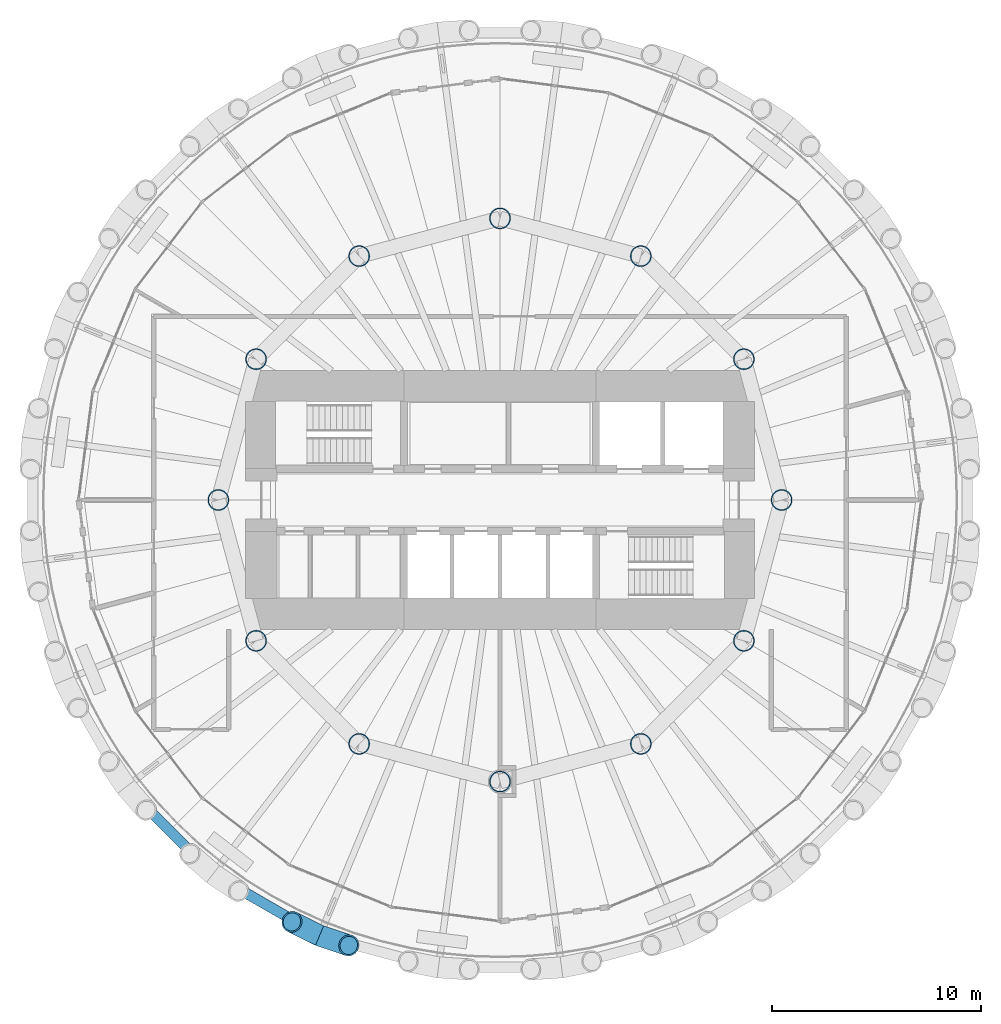
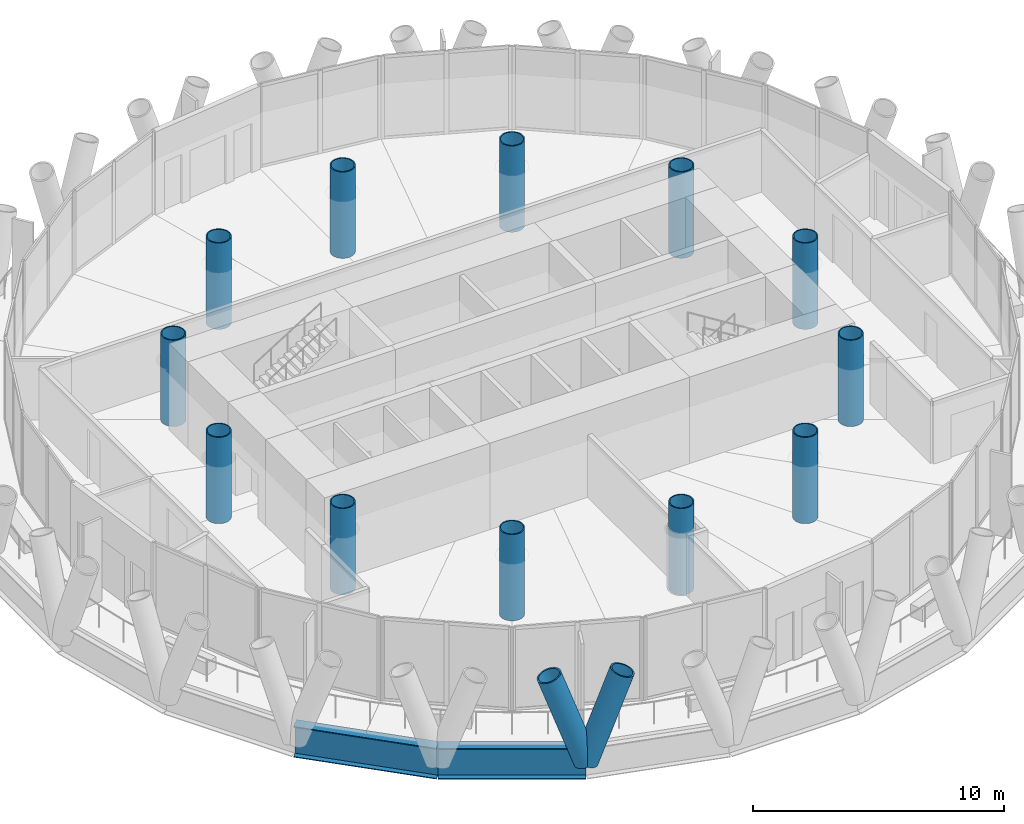
# One storey, part 1 of 13: 12 columns, 2 beams, 2 members.
"""IFC4 building model written with IfcOpenShell, lengths in metres."""

from ifc_helpers import new_model, si_unit, direction, frame, origin, origin_2d, place, context, subcontext, project, spatial, hollow_circle, i_section, extrude, material, material_profile, profile_set, type_object, element, save


model = new_model("IFC4")

# Units and contexts
model_context = context("Model", 3, precision=1e-05, world=origin(), true_north=direction((0.0, 1.0)))
body_context = subcontext(model_context, "Body", "Model", "MODEL_VIEW")
ifc_project = project(units=[si_unit("LENGTHUNIT", "METRE"), si_unit("AREAUNIT", "SQUARE_METRE"), si_unit("VOLUMEUNIT", "CUBIC_METRE"), si_unit("PLANEANGLEUNIT", "RADIAN"), si_unit("MASSUNIT", "GRAM", prefix="KILO")], contexts=[model_context])

# Site, building, storey
site_placement = place(None, origin())
site = spatial("IfcSite", under=ifc_project, at=site_placement, CompositionType="ELEMENT")
building_placement = place(site_placement, origin())
building = spatial("IfcBuilding", under=site, at=building_placement, Name="Qaws Media Tower", CompositionType="ELEMENT")
storey_placement = place(building_placement, frame((0.0, 0.0, 219.199951171875)))
storey = spatial("IfcBuildingStorey", under=building, at=storey_placement, Name="L50", CompositionType="ELEMENT", Elevation=219.199951171875)

# Columns
ifc_material_1 = material(Name="Steel S460", Category="steel")
ifc_material_profile_1 = material_profile(ifc_material_1, hollow_circle(Radius=0.508056640625, WallThickness=0.050048828125, at=origin_2d()), Name="CHS 1016x50")
ifc_profile_set_1 = profile_set([ifc_material_profile_1], Name="Steel S460")
column_type = type_object("IfcColumnType", Name="Inner column CHS 1016x50", PredefinedType="COLUMN", material=ifc_profile_set_1)
for number, where, z_axis, x_axis, name in (
    (1, (73.5, 50.0, 0.0), (0.0, 0.0, 1.0), (1.0, 0.0, 0.0), "C2 inner column I01 L50"),
    (2, (71.69140625, 56.75, 0.0), (0.0, 0.0, 1.0), (1.0, 0.0, 0.0), "C2 inner column I02 L50"),
    (3, (66.75, 61.69140625, 0.0), (0.0, 0.0, 1.0), (1.0, 0.0, 0.0), "C2 inner column I03 L50"),
    (4, (60.0, 63.5, 0.0), (0.0, 0.0, 1.0), (1.0, 0.0, 0.0), "C2 inner column I04 L50"),
    (5, (53.25, 61.69140625, 0.0), (0.0, 0.0, 1.0), (1.0, 0.0, 0.0), "C2 inner column I05 L50"),
    (6, (48.30859375, 56.75, 0.0), (0.0, 0.0, 1.0), (1.0, 0.0, 0.0), "C2 inner column I06 L50"),
    (7, (46.5, 50.0, 0.0), (0.0, 0.0, 1.0), (1.0, 0.0, 0.0), "C2 inner column I07 L50"),
    (8, (48.30859375, 43.25, 0.0), (0.0, 0.0, 1.0), (1.0, 0.0, 0.0), "C2 inner column I08 L50"),
    (9, (53.25, 38.30859375, 0.0), (0.0, 0.0, 1.0), (1.0, 0.0, 0.0), "C2 inner column I09 L50"),
    (10, (60.0, 36.5, 0.0), (0.0, 0.0, 1.0), (1.0, 0.0, 0.0), "C2 inner column I10 L50"),
    (11, (66.75, 38.30859375, 0.0), (0.0, 0.0, 1.0), (1.0, 0.0, 0.0), "C2 inner column I11 L50"),
    (12, (71.69140625, 43.25, 0.0), (0.0, 0.0, 1.0), (1.0, 0.0, 0.0), "C2 inner column I12 L50"),
):
    element("IfcColumn", number, at=place(storey_placement, frame(where, z_axis=z_axis, x_axis=x_axis)), inside=storey, type_object=column_type, Name=name, PredefinedType="COLUMN", context=body_context, shape_type="SweptSolid", body=[
        extrude(hollow_circle(Radius=0.508056640625, WallThickness=0.050048828125, at=origin_2d()), origin(), (0.0, 0.0, 1.0), 4.199951171875),
    ])

# Members
ifc_material_2 = material(Name="Steel S460", Category="steel")
ifc_material_profile_2 = material_profile(ifc_material_2, hollow_circle(Radius=0.508056640625, WallThickness=0.070068359375, at=origin_2d()), Name="CHS 1016x70")
ifc_profile_set_2 = profile_set([ifc_material_profile_2], Name="Steel S460")
member_type = type_object("IfcMemberType", Name="Diagrid member CHS 1016x70", PredefinedType="USERDEFINED", material=ifc_profile_set_2)
for number, where, z_axis, x_axis, name in (
    (13, (51.351318359375, 29.120361328125, -0.909912109375), (0.314466390826, -0.106375727673, 0.943289506781), (0.320436573379, 0.947269973366, 0.0), "DG3 diagrid L50 A17"),
    (14, (51.351318359375, 29.120361328125, -0.909912109375), (-0.297576817485, 0.147170845427, 0.943286160161), (-0.44331137967, -0.896367681621, 0.0), "DG3 diagrid L50 B17"),
):
    element("IfcMember", number, at=place(storey_placement, frame(where, z_axis=z_axis, x_axis=x_axis)), inside=storey, type_object=member_type, Name=name, ObjectType="DIAGRID", PredefinedType="USERDEFINED", context=body_context, shape_type="SweptSolid", body=[
        extrude(hollow_circle(Radius=0.508056640625, WallThickness=0.070068359375, at=origin_2d()), origin(), (0.0, 0.0, 1.0), 4.452392578125),
    ])

# Beams
ifc_material_3 = material(Name="Steel S460", Category="steel")
ifc_material_profile_3 = material_profile(ifc_material_3, i_section(OverallWidth=0.5, OverallDepth=1.5, WebThickness=0.02001953125, FlangeThickness=0.0400390625, at=origin_2d()), Name="PG 1500x500")
ifc_profile_set_3 = profile_set([ifc_material_profile_3], Name="Steel S460")
beam_type = type_object("IfcBeamType", Name="Edge ring beam PG 1500x500", PredefinedType="BEAM", material=ifc_profile_set_3)
beam_1_placement = place(storey_placement, frame((42.0703125, 36.241943359375, -0.909912109375), z_axis=(0.707106781187, -0.707106781187, 0.0), x_axis=(0.707106781187, 0.707106781187, 0.0)))
element("IfcBeam", 15, at=beam_1_placement, inside=storey, type_object=beam_type, Name="RB4 edge ring beam L50-15", PredefinedType="BEAM", context=body_context, shape_type="SweptSolid", body=[
    extrude(i_section(OverallWidth=0.5, OverallDepth=1.5, WebThickness=0.02001953125, FlangeThickness=0.0400390625, at=origin_2d()), origin(), (0.0, 0.0, 1.0), 5.899658203125),
])
beam_2_placement = place(storey_placement, frame((46.241943359375, 32.0703125, -0.909912109375), z_axis=(0.86602157697, -0.500006628179, 0.0), x_axis=(0.500006628179, 0.86602157697, 0.0)))
element("IfcBeam", 16, at=beam_2_placement, inside=storey, type_object=beam_type, Name="RB4 edge ring beam L50-16", PredefinedType="BEAM", context=body_context, shape_type="SweptSolid", body=[
    extrude(i_section(OverallWidth=0.5, OverallDepth=1.5, WebThickness=0.02001953125, FlangeThickness=0.0400390625, at=origin_2d()), origin(), (0.0, 0.0, 1.0), 5.89990234375),
])

save(model, "model.ifc")
